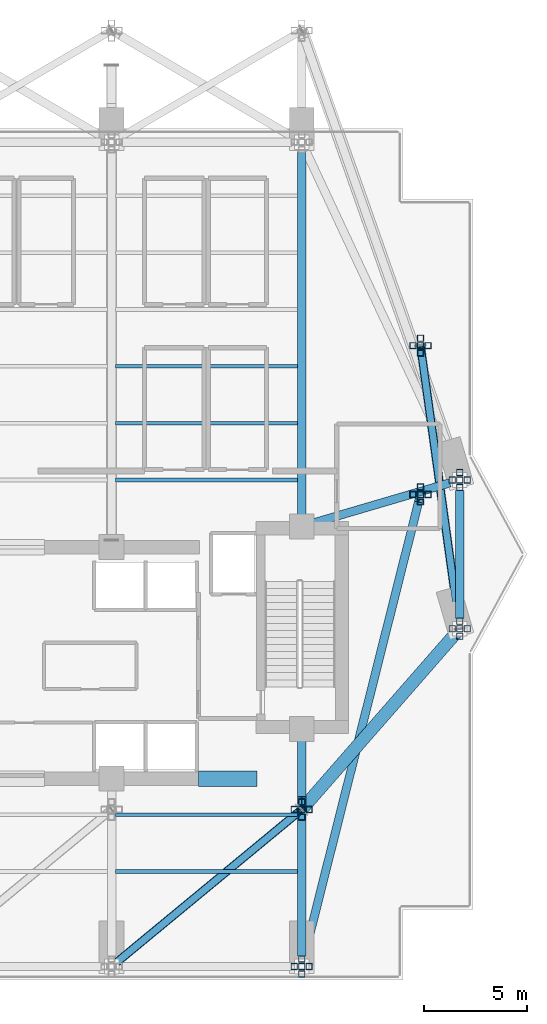
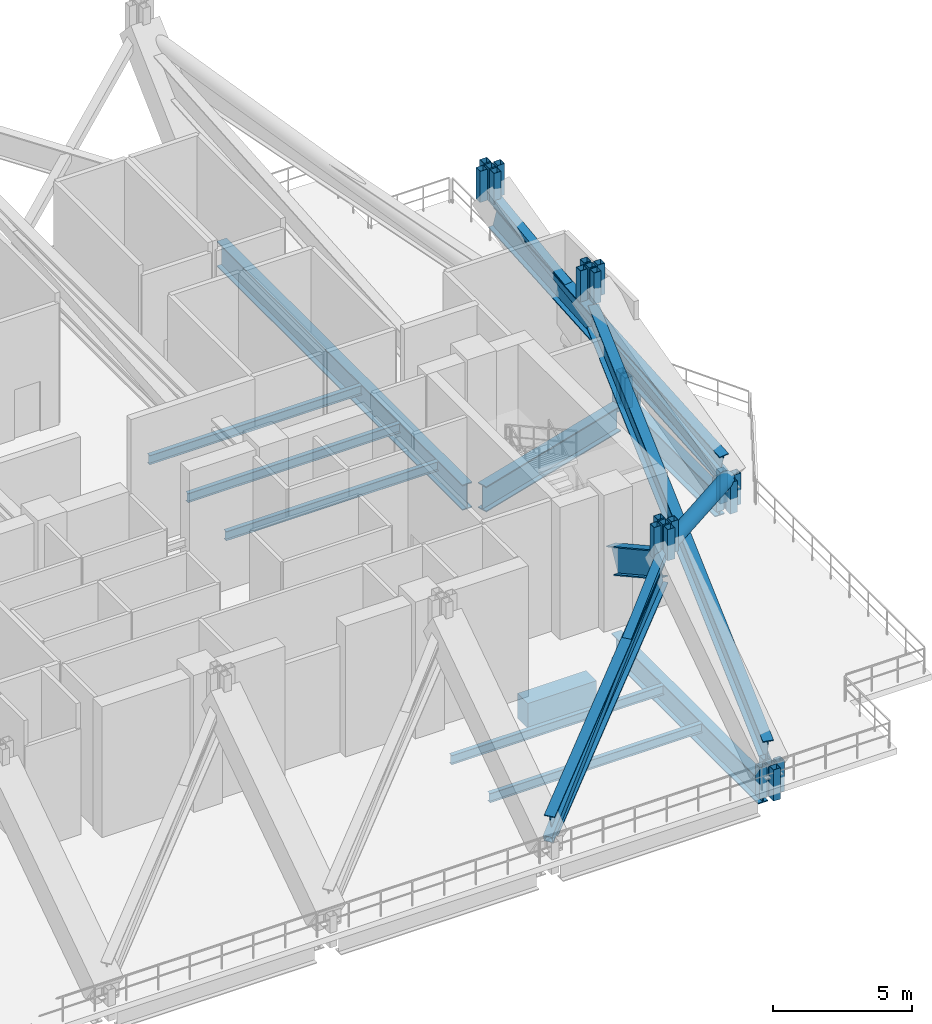
# One storey, part 4 of 18: 33 members, 14 beams.
"""IFC4 building model written with IfcOpenShell, lengths in metres."""

from ifc_helpers import new_model, si_unit, direction, frame, origin, origin_2d, place, context, subcontext, project, spatial, rectangle, hollow_rectangle, hollow_circle, i_section, extrude, material, material_profile, profile_set, type_object, element, save


model = new_model("IFC4")

# Units and contexts
model_context = context("Model", 3, precision=1e-05, world=origin(), true_north=direction((0.0, 1.0)))
body_context = subcontext(model_context, "Body", "Model", "MODEL_VIEW")
ifc_project = project(units=[si_unit("LENGTHUNIT", "METRE"), si_unit("AREAUNIT", "SQUARE_METRE"), si_unit("VOLUMEUNIT", "CUBIC_METRE"), si_unit("PLANEANGLEUNIT", "RADIAN"), si_unit("MASSUNIT", "GRAM", prefix="KILO")], contexts=[model_context])

# Site, building, storey
site_placement = place(None, origin())
site = spatial("IfcSite", under=ifc_project, at=site_placement, CompositionType="ELEMENT")
building_placement = place(site_placement, origin())
building = spatial("IfcBuilding", under=site, at=building_placement, Name="Zuhayl Quay Hotel", CompositionType="ELEMENT")
storey_placement = place(building_placement, frame((0.0, 0.0, 233.64990234375)))
storey = spatial("IfcBuildingStorey", under=building, at=storey_placement, Name="L59", CompositionType="ELEMENT", Elevation=233.64990234375)

# Beams
ifc_material_1 = material(Name="Concrete C60/75", Category="concrete")
ifc_material_profile_1 = material_profile(ifc_material_1, rectangle(XDim=0.75, YDim=1.10009765625, at=origin_2d()), Name="RC750X1100")
ifc_profile_set_1 = profile_set([ifc_material_profile_1], Name="Concrete C60/75")
beam_type_1 = type_object("IfcBeamType", Name="BM_CB2_RC750", PredefinedType="T_BEAM", material=ifc_profile_set_1)
beam_1_placement = place(storey_placement, frame((8.800048828125, 2.14990234375, -0.809814453125), z_axis=(1.0, 0.0, 0.0), x_axis=(0.0, 1.0, 0.0)))
element("IfcBeam", 1, at=beam_1_placement, inside=storey, type_object=beam_type_1, Name="L59 Core Coupling Beam SE", PredefinedType="T_BEAM", context=body_context, shape_type="SweptSolid", body=[
    extrude(rectangle(XDim=0.75, YDim=1.10009765625, at=origin_2d()), origin(), (0.0, 0.0, 1.0), 2.849853515625),
])
ifc_material_2 = material(Name="Steel ASTM A992 Grade 50", Category="steel")
ifc_material_profile_2 = material_profile(ifc_material_2, i_section(OverallWidth=0.177978515625, OverallDepth=0.406005859375, WebThickness=0.0078125, FlangeThickness=0.0126953125, at=origin_2d()), Name="W16X40")
ifc_profile_set_2 = profile_set([ifc_material_profile_2], Name="Steel ASTM A992 Grade 50")
beam_type_2 = type_object("IfcBeamType", Name="BM_J2B_W16X40", PredefinedType="JOIST", material=ifc_profile_set_2)
for number, where, z_axis, x_axis, name in (
    (2, (4.7939453125, 16.60009765625, -0.462890625), (1.0, 0.0, 0.0), (0.0, 1.0, 0.0), "L59 Floor Beam FJ_L59_1_3"),
    (3, (4.7939453125, 19.35009765625, -0.462890625), (1.0, 0.0, 0.0), (0.0, 1.0, 0.0), "L59 Floor Beam FJ_L59_2_3"),
    (4, (4.7939453125, 22.10009765625, -0.462890625), (1.0, 0.0, 0.0), (0.0, 1.0, 0.0), "L59 Floor Beam FJ_L59_3_3"),
    (5, (4.7939453125, -2.35009765625, -0.462890625), (1.0, 0.0, 0.0), (0.0, 1.0, 0.0), "L59 Floor Beam FJ_L59_7_3"),
    (6, (4.7939453125, 0.39990234375, -0.462890625), (1.0, 0.0, 0.0), (0.0, 1.0, 0.0), "L59 Floor Beam FJ_L59_8_3"),
):
    element("IfcBeam", number, at=place(storey_placement, frame(where, z_axis=z_axis, x_axis=x_axis)), inside=storey, type_object=beam_type_2, Name=name, PredefinedType="JOIST", context=body_context, shape_type="SweptSolid", body=[
        extrude(i_section(OverallWidth=0.177978515625, OverallDepth=0.406005859375, WebThickness=0.0078125, FlangeThickness=0.0126953125, at=origin_2d()), origin(), (0.0, 0.0, 1.0), 8.81201171875),
    ])
ifc_material_3 = material(Name="Steel ASTM A913 Grade 65", Category="steel")
ifc_material_profile_3 = material_profile(ifc_material_3, i_section(OverallWidth=0.404052734375, OverallDepth=1.117919921875, WebThickness=0.026123046875, FlangeThickness=0.044921875, at=origin_2d()), Name="W44X335")
ifc_profile_set_3 = profile_set([ifc_material_profile_3], Name="Steel ASTM A913 Grade 65")
beam_type_3 = type_object("IfcBeamType", Name="BM_TG1_W44X335", PredefinedType="BEAM", material=ifc_profile_set_3)
beam_2_placement = place(storey_placement, frame((21.449951171875, 9.89990234375, -0.81884765625), z_axis=(0.0, 1.0, 0.0), x_axis=(-1.0, 0.0, 0.0)))
element("IfcBeam", 7, at=beam_2_placement, inside=storey, type_object=beam_type_3, Name="L59 Floor Beam RG_L59_05", PredefinedType="BEAM", context=body_context, shape_type="SweptSolid", body=[
    extrude(i_section(OverallWidth=0.404052734375, OverallDepth=1.117919921875, WebThickness=0.026123046875, FlangeThickness=0.044921875, at=origin_2d()), origin(), (0.0, 0.0, 1.0), 6.2001953125),
])
beam_3_placement = place(storey_placement, frame((4.831298828125, -6.7587890625, 0.9501953125), z_axis=(0.733463522291, 0.605904648849, 0.308075993827), x_axis=(-0.636881446996, 0.770961751627, 0.0)))
element("IfcBeam", 8, at=beam_3_placement, inside=storey, type_object=beam_type_3, Name="L59 Wind-Floor Inclined Belt Girder 03", PredefinedType="BEAM", context=body_context, shape_type="SweptSolid", body=[
    extrude(i_section(OverallWidth=0.404052734375, OverallDepth=1.117919921875, WebThickness=0.026123046875, FlangeThickness=0.044921875, at=origin_2d()), origin(), (0.0, 0.0, 1.0), 11.912353515625),
])
beam_4_placement = place(storey_placement, frame((13.873291015625, -6.6591796875, 0.9501953125), z_axis=(0.240970668826, 0.957614834187, 0.157819409803), x_axis=(-0.969767974862, 0.24402884037, 0.0)))
element("IfcBeam", 9, at=beam_4_placement, inside=storey, type_object=beam_type_3, Name="L59 Wind-Floor Inclined Belt Girder 04", PredefinedType="BEAM", context=body_context, shape_type="SweptSolid", body=[
    extrude(i_section(OverallWidth=0.404052734375, OverallDepth=1.117919921875, WebThickness=0.026123046875, FlangeThickness=0.044921875, at=origin_2d()), origin(), (0.0, 0.0, 1.0), 23.25390625),
])
beam_5_placement = place(storey_placement, frame((21.40869140625, 9.697265625, 0.9501953125), z_axis=(-0.132361748916, 0.954483971226, 0.26728396154), x_axis=(-0.990521305482, -0.137359176565, 0.0)))
element("IfcBeam", 10, at=beam_5_placement, inside=storey, type_object=beam_type_3, Name="L59 Wind-Floor Inclined Belt Girder 05", PredefinedType="BEAM", context=body_context, shape_type="SweptSolid", body=[
    extrude(i_section(OverallWidth=0.404052734375, OverallDepth=1.117919921875, WebThickness=0.026123046875, FlangeThickness=0.044921875, at=origin_2d()), origin(), (0.0, 0.0, 1.0), 13.73046875),
])
beam_6_placement = place(storey_placement, frame((13.800048828125, 4.199951171875, 2.85009765625), z_axis=(0.0, -0.875053295182, 0.484026580459), x_axis=(1.0, 0.0, 0.0)))
element("IfcBeam", 11, at=beam_6_placement, inside=storey, type_object=beam_type_3, Name="L59 Wind-Floor Inclined Outrigger Girder 4", PredefinedType="BEAM", context=body_context, shape_type="SweptSolid", body=[
    extrude(i_section(OverallWidth=0.404052734375, OverallDepth=1.117919921875, WebThickness=0.026123046875, FlangeThickness=0.044921875, at=origin_2d()), origin(), (0.0, 0.0, 1.0), 3.656982421875),
])
beam_7_placement = place(storey_placement, frame((13.800048828125, 14.800048828125, -0.81884765625), z_axis=(0.0, 1.0, 0.0), x_axis=(-1.0, 0.0, 0.0)))
element("IfcBeam", 12, at=beam_7_placement, inside=storey, type_object=beam_type_3, Name="L59 Floor Beam FG_N_L59_4", PredefinedType="BEAM", context=body_context, shape_type="SweptSolid", body=[
    extrude(i_section(OverallWidth=0.404052734375, OverallDepth=1.117919921875, WebThickness=0.026123046875, FlangeThickness=0.044921875, at=origin_2d()), origin(), (0.0, 0.0, 1.0), 17.64990234375),
])
beam_8_placement = place(storey_placement, frame((13.800048828125, -6.449951171875, -0.81884765625), z_axis=(0.0, 1.0, 0.0), x_axis=(-1.0, 0.0, 0.0)))
element("IfcBeam", 13, at=beam_8_placement, inside=storey, type_object=beam_type_3, Name="L59 Floor Beam FG_S_L59_4", PredefinedType="BEAM", context=body_context, shape_type="SweptSolid", body=[
    extrude(i_section(OverallWidth=0.404052734375, OverallDepth=1.117919921875, WebThickness=0.026123046875, FlangeThickness=0.044921875, at=origin_2d()), origin(), (0.0, 0.0, 1.0), 10.550048828125),
])
beam_9_placement = place(storey_placement, frame((14.231689453125, 14.47705078125, -0.81884765625), z_axis=(0.959364948093, 0.282168205812, 0.0), x_axis=(-0.282168205812, 0.959364948093, 0.0)))
element("IfcBeam", 14, at=beam_9_placement, inside=storey, type_object=beam_type_3, Name="L59 Floor Beam FG_E_L59_2", PredefinedType="BEAM", context=body_context, shape_type="SweptSolid", body=[
    extrude(i_section(OverallWidth=0.404052734375, OverallDepth=1.117919921875, WebThickness=0.026123046875, FlangeThickness=0.044921875, at=origin_2d()), origin(), (0.0, 0.0, 1.0), 7.02392578125),
])

# Members
ifc_material_4 = material(Name="Steel ASTM A500 Grade C", Category="steel")
ifc_material_profile_4 = material_profile(ifc_material_4, hollow_rectangle(XDim=0.35009765625, YDim=0.35009765625, WallThickness=0.01611328125, at=origin_2d()), Name="HSS350X350X16")
ifc_profile_set_4 = profile_set([ifc_material_profile_4], Name="Steel ASTM A500 Grade C")
member_type_1 = type_object("IfcMemberType", Name="MB_BT_DIAG_HSS350", PredefinedType="BRACE", material=ifc_profile_set_4)
member_1_placement = place(storey_placement, frame((4.60009765625, -6.949951171875, 0.550048828125), z_axis=(0.713178129578, 0.589138921944, 0.379858244799), x_axis=(-0.636876159758, 0.770966119315, 0.0)))
element("IfcMember", 15, at=member_1_placement, inside=storey, type_object=member_type_1, Name="L59 Belt Truss BT3 Diagonal S34", PredefinedType="BRACE", context=body_context, shape_type="SweptSolid", body=[
    extrude(hollow_rectangle(XDim=0.35009765625, YDim=0.35009765625, WallThickness=0.01611328125, at=origin_2d()), origin(), (0.0, 0.0, 1.0), 12.89990234375),
])
member_2_placement = place(storey_placement, frame((21.449951171875, 9.39990234375, 0.550048828125), z_axis=(-0.129477023583, 0.933658783782, 0.333941575474), x_axis=(-0.990520846633, -0.137362485361, 0.0)))
element("IfcMember", 16, at=member_2_placement, inside=storey, type_object=member_type_1, Name="L59 Belt Truss BT3 Diagonal E12", PredefinedType="BRACE", context=body_context, shape_type="SweptSolid", body=[
    extrude(hollow_rectangle(XDim=0.35009765625, YDim=0.35009765625, WallThickness=0.01611328125, at=origin_2d()), origin(), (0.0, 0.0, 1.0), 14.673583984375),
])
ifc_material_profile_5 = material_profile(ifc_material_4, hollow_rectangle(XDim=0.300048828125, YDim=0.300048828125, WallThickness=0.012451171875, at=origin_2d()), Name="HSS300X300X12")
ifc_profile_set_5 = profile_set([ifc_material_profile_5], Name="Steel ASTM A500 Grade C")
member_type_2 = type_object("IfcMemberType", Name="MB_CR_BRACE_HSS300", PredefinedType="BRACE", material=ifc_profile_set_5)
for number, where, z_axis, x_axis, name in (
    (17, (13.800048828125, -6.949951171875, -0.64990234375), (0.0, 0.0, 1.0), (1.0, 0.0, 0.0), "L59 Mega-Column Lower Knuckle Leg MC_S4-1"),
    (18, (13.800048828125, 0.64990234375, 5.280029296875), (0.0, 0.0, 1.0), (1.0, 0.0, 0.0), "L59 Mega-Column Upper Knuckle Leg MC_S4-1"),
    (19, (13.800048828125, -6.590087890625, -0.64990234375), (0.0, 0.0, 1.0), (1.0, 0.0, 0.0), "L59 Mega-Column Lower Knuckle Leg MC_S4-2"),
    (20, (13.800048828125, 1.010009765625, 5.280029296875), (0.0, 0.0, 1.0), (1.0, 0.0, 0.0), "L59 Mega-Column Upper Knuckle Leg MC_S4-2"),
    (21, (13.800048828125, -7.31005859375, -0.64990234375), (0.0, 0.0, 1.0), (1.0, 0.0, 0.0), "L59 Mega-Column Lower Knuckle Leg MC_S4-3"),
    (22, (13.800048828125, 0.2900390625, 5.280029296875), (0.0, 0.0, 1.0), (1.0, 0.0, 0.0), "L59 Mega-Column Upper Knuckle Leg MC_S4-3"),
    (23, (14.159912109375, -6.949951171875, -0.64990234375), (0.0, 0.0, 1.0), (1.0, 0.0, 0.0), "L59 Mega-Column Lower Knuckle Leg MC_S4-4"),
    (24, (14.159912109375, 0.64990234375, 5.280029296875), (0.0, 0.0, 1.0), (1.0, 0.0, 0.0), "L59 Mega-Column Upper Knuckle Leg MC_S4-4"),
    (25, (13.43994140625, -6.949951171875, -0.64990234375), (0.0, 0.0, 1.0), (1.0, 0.0, 0.0), "L59 Mega-Column Lower Knuckle Leg MC_S4-5"),
    (26, (13.43994140625, 0.64990234375, 5.280029296875), (0.0, 0.0, 1.0), (1.0, 0.0, 0.0), "L59 Mega-Column Upper Knuckle Leg MC_S4-5"),
    (27, (21.449951171875, 9.39990234375, -0.64990234375), (0.0, 0.0, 1.0), (1.0, 0.0, 0.0), "L59 Mega-Column Lower Knuckle Leg MC_E1-1"),
    (28, (19.550048828125, 15.89990234375, 5.280029296875), (0.0, 0.0, 1.0), (1.0, 0.0, 0.0), "L59 Mega-Column Upper Knuckle Leg MC_E1-1"),
    (29, (21.449951171875, 9.760009765625, -0.64990234375), (0.0, 0.0, 1.0), (1.0, 0.0, 0.0), "L59 Mega-Column Lower Knuckle Leg MC_E1-2"),
    (30, (19.550048828125, 16.260009765625, 5.280029296875), (0.0, 0.0, 1.0), (1.0, 0.0, 0.0), "L59 Mega-Column Upper Knuckle Leg MC_E1-2"),
    (31, (21.449951171875, 9.0400390625, -0.64990234375), (0.0, 0.0, 1.0), (1.0, 0.0, 0.0), "L59 Mega-Column Lower Knuckle Leg MC_E1-3"),
    (32, (19.550048828125, 15.5400390625, 5.280029296875), (0.0, 0.0, 1.0), (1.0, 0.0, 0.0), "L59 Mega-Column Upper Knuckle Leg MC_E1-3"),
    (33, (21.81005859375, 9.39990234375, -0.64990234375), (0.0, 0.0, 1.0), (1.0, 0.0, 0.0), "L59 Mega-Column Lower Knuckle Leg MC_E1-4"),
    (34, (19.909912109375, 15.89990234375, 5.280029296875), (0.0, 0.0, 1.0), (1.0, 0.0, 0.0), "L59 Mega-Column Upper Knuckle Leg MC_E1-4"),
    (35, (21.090087890625, 9.39990234375, -0.64990234375), (0.0, 0.0, 1.0), (1.0, 0.0, 0.0), "L59 Mega-Column Lower Knuckle Leg MC_E1-5"),
    (36, (19.18994140625, 15.89990234375, 5.280029296875), (0.0, 0.0, 1.0), (1.0, 0.0, 0.0), "L59 Mega-Column Upper Knuckle Leg MC_E1-5"),
    (37, (21.449951171875, 16.60009765625, -0.64990234375), (0.0, 0.0, 1.0), (1.0, 0.0, 0.0), "L59 Mega-Column Lower Knuckle Leg MC_E2-1"),
    (38, (19.550048828125, 23.10009765625, 5.280029296875), (0.0, 0.0, 1.0), (1.0, 0.0, 0.0), "L59 Mega-Column Upper Knuckle Leg MC_E2-1"),
    (39, (21.449951171875, 16.9599609375, -0.64990234375), (0.0, 0.0, 1.0), (1.0, 0.0, 0.0), "L59 Mega-Column Lower Knuckle Leg MC_E2-2"),
    (40, (19.550048828125, 23.4599609375, 5.280029296875), (0.0, 0.0, 1.0), (1.0, 0.0, 0.0), "L59 Mega-Column Upper Knuckle Leg MC_E2-2"),
    (41, (21.449951171875, 16.239990234375, -0.64990234375), (0.0, 0.0, 1.0), (1.0, 0.0, 0.0), "L59 Mega-Column Lower Knuckle Leg MC_E2-3"),
    (42, (19.550048828125, 22.739990234375, 5.280029296875), (0.0, 0.0, 1.0), (1.0, 0.0, 0.0), "L59 Mega-Column Upper Knuckle Leg MC_E2-3"),
    (43, (21.81005859375, 16.60009765625, -0.64990234375), (0.0, 0.0, 1.0), (1.0, 0.0, 0.0), "L59 Mega-Column Lower Knuckle Leg MC_E2-4"),
    (44, (19.909912109375, 23.10009765625, 5.280029296875), (0.0, 0.0, 1.0), (1.0, 0.0, 0.0), "L59 Mega-Column Upper Knuckle Leg MC_E2-4"),
    (45, (21.090087890625, 16.60009765625, -0.64990234375), (0.0, 0.0, 1.0), (1.0, 0.0, 0.0), "L59 Mega-Column Lower Knuckle Leg MC_E2-5"),
    (46, (19.18994140625, 23.10009765625, 5.280029296875), (0.0, 0.0, 1.0), (1.0, 0.0, 0.0), "L59 Mega-Column Upper Knuckle Leg MC_E2-5"),
):
    element("IfcMember", number, at=place(storey_placement, frame(where, z_axis=z_axis, x_axis=x_axis)), inside=storey, type_object=member_type_2, Name=name, PredefinedType="STRUT", context=body_context, shape_type="SweptSolid", body=[
        extrude(hollow_rectangle(XDim=0.300048828125, YDim=0.300048828125, WallThickness=0.012451171875, at=origin_2d()), origin(), (0.0, 0.0, 1.0), 1.3701171875),
    ])
ifc_material_profile_6 = material_profile(ifc_material_4, hollow_circle(Radius=0.304931640625, WallThickness=0.02001953125, at=origin_2d()), Name="CHS610X20")
ifc_profile_set_6 = profile_set([ifc_material_profile_6], Name="Steel ASTM A500 Grade C")
member_type_3 = type_object("IfcMemberType", Name="MB_ST_CHS610", PredefinedType="STRUT", material=ifc_profile_set_6)
member_3_placement = place(storey_placement, frame((21.449951171875, 9.39990234375, 0.550048828125), z_axis=(-0.606495671331, -0.693713054844, 0.388490924213), x_axis=(0.752847289732, -0.658195228138, 0.0)))
element("IfcMember", 47, at=member_3_placement, inside=storey, type_object=member_type_3, Name="L59 Wind-Floor Corner Mega-Strut SE", PredefinedType="STRUT", context=body_context, shape_type="SweptSolid", body=[
    extrude(hollow_circle(Radius=0.304931640625, WallThickness=0.02001953125, at=origin_2d()), origin(), (0.0, 0.0, 1.0), 12.61328125),
])

save(model, "model.ifc")
